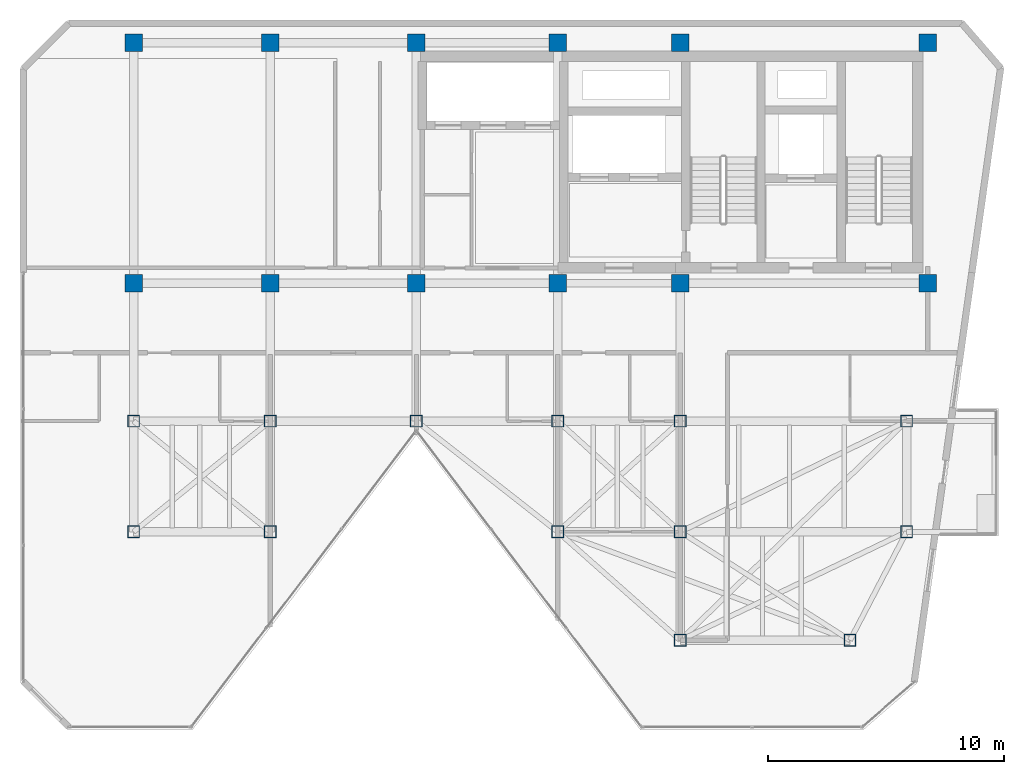
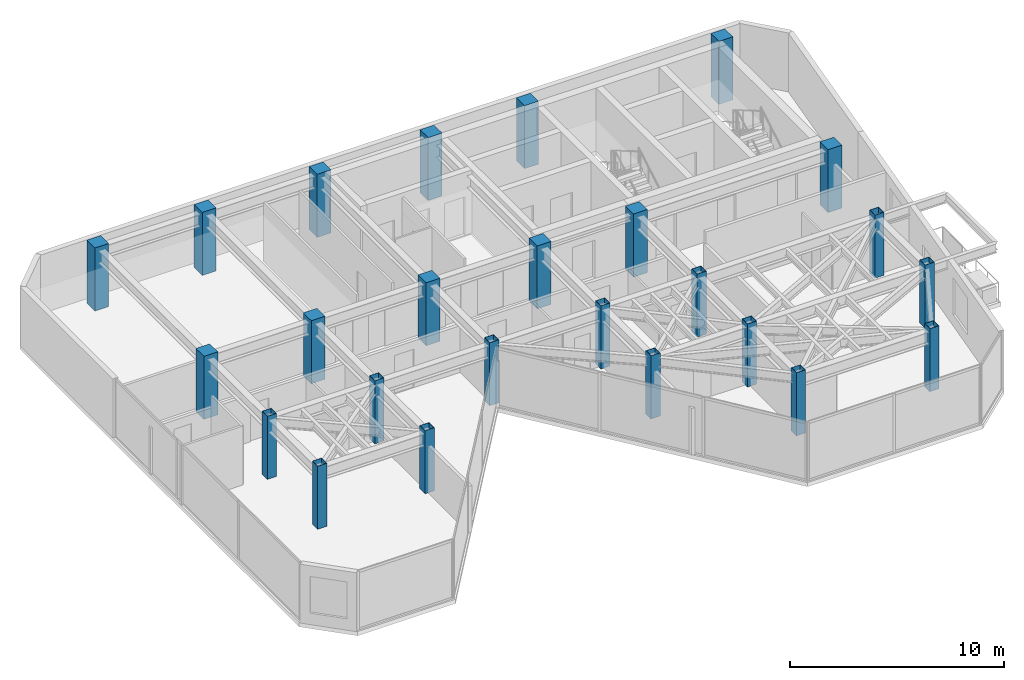
# One storey, part 1 of 19: 25 columns.
"""IFC4 building model written with IfcOpenShell, lengths in metres."""

from ifc_helpers import new_model, si_unit, direction, frame, origin, origin_2d, place, context, subcontext, project, spatial, rectangle, hollow_rectangle, extrude, material, material_profile, profile_set, type_object, element, save


model = new_model("IFC4")

# Units and contexts
model_context = context("Model", 3, precision=1e-05, world=origin(), true_north=direction((0.0, 1.0)))
body_context = subcontext(model_context, "Body", "Model", "MODEL_VIEW")
ifc_project = project(units=[si_unit("LENGTHUNIT", "METRE"), si_unit("AREAUNIT", "SQUARE_METRE"), si_unit("VOLUMEUNIT", "CUBIC_METRE"), si_unit("PLANEANGLEUNIT", "RADIAN"), si_unit("MASSUNIT", "GRAM", prefix="KILO")], contexts=[model_context])

# Site, building, storey
site_placement = place(None, origin())
site = spatial("IfcSite", under=ifc_project, at=site_placement, CompositionType="ELEMENT")
building_placement = place(site_placement, origin())
building = spatial("IfcBuilding", under=site, at=building_placement, Name="Kravanh Interchange Tower", CompositionType="ELEMENT")
storey_placement = place(building_placement, frame((0.0, 0.0, 270.60009765625)))
storey = spatial("IfcBuildingStorey", under=building, at=storey_placement, Name="L66", CompositionType="ELEMENT", Elevation=270.60009765625)

# Columns
ifc_material_1 = material(Name="Structural Steel S355", Category="steel")
ifc_material_profile_1 = material_profile(ifc_material_1, hollow_rectangle(XDim=0.5, YDim=0.5, WallThickness=0.02001953125, at=origin_2d()), Name="HSS500X500X20")
ifc_profile_set_1 = profile_set([ifc_material_profile_1], Name="Structural Steel S355")
column_type_1 = type_object("IfcColumnType", Name="Column HSS500X500X20 Structural Steel S355", PredefinedType="COLUMN", material=ifc_profile_set_1)
for number, where, z_axis, x_axis, name in (
    (1, (44.800048828125, 31.5, 0.0), (0.0, 0.0, 1.0), (1.0, 0.0, 0.0), "L66 Column CH_E1"),
    (2, (50.800048828125, 31.5, 0.0), (0.0, 0.0, 1.0), (1.0, 0.0, 0.0), "L66 Column CH_E2"),
    (3, (56.0, 31.5, 0.0), (0.0, 0.0, 1.0), (1.0, 0.0, 0.0), "L66 Column CH_E3"),
    (4, (65.60009765625, 31.5, 0.0), (0.0, 0.0, 1.0), (1.0, 0.0, 0.0), "L66 Column CH_E4"),
    (5, (38.60009765625, 31.5, 0.0), (0.0, 0.0, 1.0), (1.0, 0.0, 0.0), "L66 Column CH_E5"),
    (6, (32.800048828125, 31.5, 0.0), (0.0, 0.0, 1.0), (1.0, 0.0, 0.0), "L66 Column CH_E6"),
    (7, (38.60009765625, 26.800048828125, 0.0), (0.0, 0.0, 1.0), (1.0, 0.0, 0.0), "L66 Column CH_S1"),
    (8, (50.800048828125, 26.800048828125, 0.0), (0.0, 0.0, 1.0), (1.0, 0.0, 0.0), "L66 Column CH_S2"),
    (9, (56.0, 26.800048828125, 0.0), (0.0, 0.0, 1.0), (1.0, 0.0, 0.0), "L66 Column CH_S3"),
    (10, (65.60009765625, 26.800048828125, 0.0), (0.0, 0.0, 1.0), (1.0, 0.0, 0.0), "L66 Column CH_S4"),
    (11, (56.0, 22.199951171875, 0.0), (0.0, 0.0, 1.0), (1.0, 0.0, 0.0), "L66 Column CH_S5"),
    (12, (63.199951171875, 22.199951171875, 0.0), (0.0, 0.0, 1.0), (1.0, 0.0, 0.0), "L66 Column CH_S6"),
    (13, (32.800048828125, 26.800048828125, 0.0), (0.0, 0.0, 1.0), (1.0, 0.0, 0.0), "L66 Column CH_W3"),
):
    element("IfcColumn", number, at=place(storey_placement, frame(where, z_axis=z_axis, x_axis=x_axis)), inside=storey, type_object=column_type_1, Name=name, PredefinedType="COLUMN", context=body_context, shape_type="SweptSolid", body=[
        extrude(hollow_rectangle(XDim=0.5, YDim=0.5, WallThickness=0.02001953125, at=origin_2d()), origin(), (0.0, 0.0, 1.0), 3.599853515625),
    ])
ifc_material_2 = material(Name="Concrete C60/75", Category="concrete")
ifc_material_profile_2 = material_profile(ifc_material_2, rectangle(XDim=0.75, YDim=0.75, at=origin_2d()), Name="RC750X750")
ifc_profile_set_2 = profile_set([ifc_material_profile_2], Name="Concrete C60/75")
column_type_2 = type_object("IfcColumnType", Name="Column RC750X750 Concrete C60/75", PredefinedType="COLUMN", material=ifc_profile_set_2)
for number, where, z_axis, x_axis, name in (
    (14, (66.5, 47.550048828125, 0.0), (0.0, 0.0, 1.0), (1.0, 0.0, 0.0), "L66 Column CS01"),
    (15, (56.0, 47.550048828125, 0.0), (0.0, 0.0, 1.0), (1.0, 0.0, 0.0), "L66 Column CS02"),
    (16, (66.5, 37.35009765625, 0.0), (0.0, 0.0, 1.0), (1.0, 0.0, 0.0), "L66 Column CS03"),
    (17, (56.0, 37.35009765625, 0.0), (0.0, 0.0, 1.0), (1.0, 0.0, 0.0), "L66 Column CS04"),
    (18, (50.800048828125, 47.550048828125, 0.0), (0.0, 0.0, 1.0), (1.0, 0.0, 0.0), "L66 Column CS05"),
    (19, (50.800048828125, 37.35009765625, 0.0), (0.0, 0.0, 1.0), (1.0, 0.0, 0.0), "L66 Column CS06"),
    (20, (44.800048828125, 37.35009765625, 0.0), (0.0, 0.0, 1.0), (1.0, 0.0, 0.0), "L66 Column CS07"),
    (21, (44.800048828125, 47.550048828125, 0.0), (0.0, 0.0, 1.0), (1.0, 0.0, 0.0), "L66 Column CS08"),
    (22, (38.60009765625, 37.35009765625, 0.0), (0.0, 0.0, 1.0), (1.0, 0.0, 0.0), "L66 Column CS09"),
    (23, (38.60009765625, 47.550048828125, 0.0), (0.0, 0.0, 1.0), (1.0, 0.0, 0.0), "L66 Column CS10"),
    (24, (32.800048828125, 37.35009765625, 0.0), (0.0, 0.0, 1.0), (1.0, 0.0, 0.0), "L66 Column CS11"),
    (25, (32.800048828125, 47.550048828125, 0.0), (0.0, 0.0, 1.0), (1.0, 0.0, 0.0), "L66 Column CS12"),
):
    element("IfcColumn", number, at=place(storey_placement, frame(where, z_axis=z_axis, x_axis=x_axis)), inside=storey, type_object=column_type_2, Name=name, PredefinedType="COLUMN", context=body_context, shape_type="SweptSolid", body=[
        extrude(rectangle(XDim=0.75, YDim=0.75, at=origin_2d()), origin(), (0.0, 0.0, 1.0), 3.599853515625),
    ])

save(model, "model.ifc")
